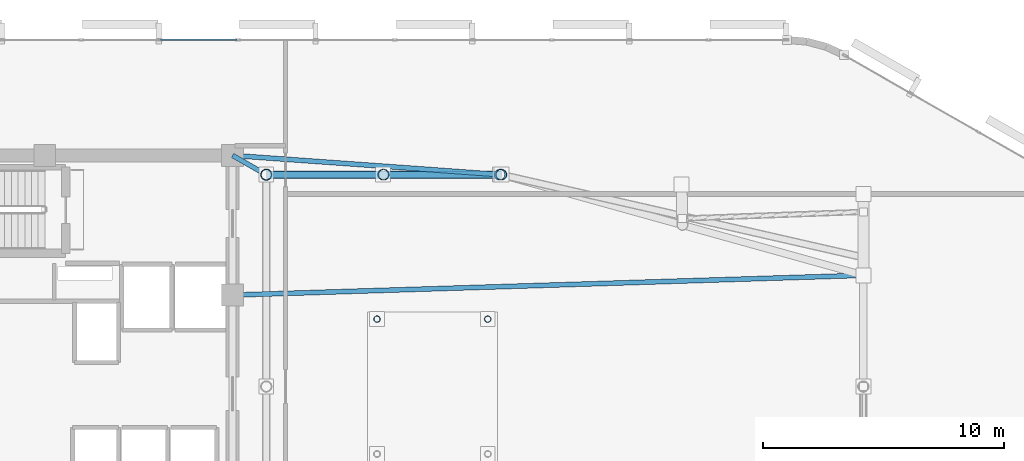
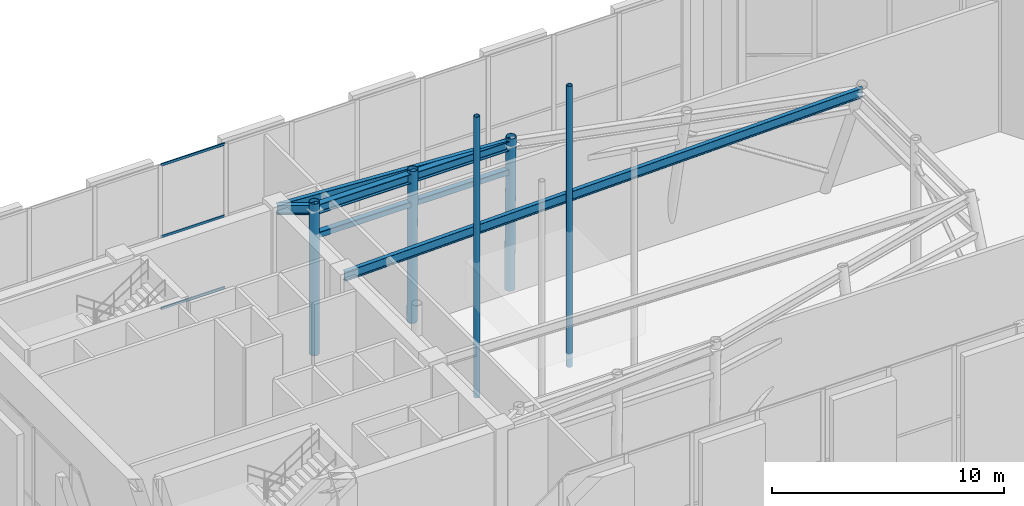
# One storey, part 9 of 22: 9 members, 4 beams, 1 element without a shape of its own.
"""IFC4 building model written with IfcOpenShell, lengths in metres."""

import ifcopenshell
import ifcopenshell.guid

model = None  # the IFC model being written
_history = None  # IfcOwnerHistory: only IFC2X3 demands one
_inside = {}  # id of a spatial element -> (the spatial element, [elements in it])
_under = {}  # id of a project, library or spatial element -> (it, [spatial elements below it])
_declared = {}  # id of a project -> (the project, [libraries it declares])
_typed = {}  # id of a type object -> (the type object, [elements of that type])
_made_of = {}  # id of a material, layer set ... -> (it, [elements and type objects made of it])


def new_model(schema):
    """Start an empty IFC model of exactly this schema.

    Asked for "IFC4X3", IfcOpenShell would pick the latest addendum, in which some entities
    have other attributes; the version numbers below select the first issue.
    IFC2X3 requires an IfcOwnerHistory on every rooted entity: one is made here for all.
    """
    global model, _history
    if schema == "IFC4X3":
        model = ifcopenshell.file(schema_version=(4, 3, 0, 0))
    else:
        model = ifcopenshell.file(schema=schema)
    _inside.clear()
    _under.clear()
    _declared.clear()
    _typed.clear()
    _made_of.clear()
    _history = None
    if model.schema == "IFC2X3":
        org = make("IfcOrganization", Name="unknown")
        user = make(
            "IfcPersonAndOrganization",
            ThePerson=make("IfcPerson", FamilyName="unknown"),
            TheOrganization=org,
        )
        app = make(
            "IfcApplication",
            ApplicationDeveloper=org,
            Version="unknown",
            ApplicationFullName="unknown",
            ApplicationIdentifier="unknown",
        )
        _history = make(
            "IfcOwnerHistory",
            OwningUser=user,
            OwningApplication=app,
            ChangeAction="ADDED",
            CreationDate=0,
        )
    return model


def make(cls, **values):
    """One entity of the class cls with the attributes given. An attribute that is None is left unset."""
    return model.create_entity(
        cls, **{name: value for name, value in values.items() if value is not None}
    )


def rooted(cls, **values):
    """An entity with a GlobalId (a new one), such as an element, a storey or a relation."""
    return make(cls, GlobalId=ifcopenshell.guid.new(), OwnerHistory=_history, **values)


def si_unit(unit_type, name, prefix=None):
    """IfcSIUnit, for example si_unit("LENGTHUNIT", "METRE", prefix="MILLI")."""
    return make("IfcSIUnit", UnitType=unit_type, Prefix=prefix, Name=name)


def assignment(units):
    """IfcUnitAssignment: the units of a project."""
    return None if units is None else make("IfcUnitAssignment", Units=units)


def point(xyz):
    """IfcCartesianPoint."""
    return None if xyz is None else make("IfcCartesianPoint", Coordinates=xyz)


def direction(xyz):
    """IfcDirection."""
    return None if xyz is None else make("IfcDirection", DirectionRatios=xyz)


def frame(location, z_axis=None, x_axis=None):
    """IfcAxis2Placement3D, a coordinate frame: its origin and axes. An axis left out is left unset."""
    return make(
        "IfcAxis2Placement3D",
        Location=point(location),
        Axis=direction(z_axis),
        RefDirection=direction(x_axis),
    )


def frame_2d(location, x_axis=None):
    """IfcAxis2Placement2D, a coordinate frame in the plane: its origin and x axis."""
    return make(
        "IfcAxis2Placement2D", Location=point(location), RefDirection=direction(x_axis)
    )


def origin():
    """The frame at (0, 0, 0) with its axes left unset."""
    return frame((0.0, 0.0, 0.0))


def origin_2d():
    """The frame at (0, 0) in the plane with its x axis left unset."""
    return frame_2d((0.0, 0.0))


def place(relative_to, where):
    """IfcLocalPlacement: puts the frame where relative to a parent placement (None: the world)."""
    return make(
        "IfcLocalPlacement", PlacementRelTo=relative_to, RelativePlacement=where
    )


def context(
    kind, dimensions, precision=None, world=None, true_north=None, identifier=None
):
    """IfcGeometricRepresentationContext, for example the 3D "Model" context."""
    return make(
        "IfcGeometricRepresentationContext",
        ContextIdentifier=identifier,
        ContextType=kind,
        CoordinateSpaceDimension=dimensions,
        Precision=precision,
        WorldCoordinateSystem=world,
        TrueNorth=true_north,
    )


def subcontext(parent, identifier, kind, view, scale=None):
    """IfcGeometricRepresentationSubContext, for example "Body" below "Model"."""
    return make(
        "IfcGeometricRepresentationSubContext",
        ContextIdentifier=identifier,
        ContextType=kind,
        ParentContext=parent,
        TargetScale=scale,
        TargetView=view,
    )


def project(units=None, contexts=None):
    """IfcProject with its units and contexts."""
    return rooted(
        "IfcProject",
        Name="project",
        RepresentationContexts=contexts,
        UnitsInContext=assignment(units),
    )


def spatial(cls, under=None, at=None, **own):
    """A site, building, storey or space (cls), placed at a placement, below another one or the project."""
    s = rooted(cls, ObjectPlacement=at, **own)
    if under is not None:
        _under.setdefault(under.id(), (under, []))[1].append(s)
    return s


def profile(cls, at=None, kind="AREA", **sizes):
    """A parametric profile (cls). Its sizes go by their IFC names, for example OverallWidth=200.0."""
    return make(cls, ProfileType=kind, Position=at, **sizes)


def hollow_rectangle(**sizes):
    """IfcRectangleHollowProfileDef."""
    return profile("IfcRectangleHollowProfileDef", **sizes)


def hollow_circle(**sizes):
    """IfcCircleHollowProfileDef."""
    return profile("IfcCircleHollowProfileDef", **sizes)


def i_section(**sizes):
    """IfcIShapeProfileDef."""
    return profile("IfcIShapeProfileDef", **sizes)


def extrude(swept, where, along, depth):
    """IfcExtrudedAreaSolid: the profile swept, set in the frame where, extruded along a direction by depth."""
    return make(
        "IfcExtrudedAreaSolid",
        SweptArea=swept,
        Position=where,
        ExtrudedDirection=direction(along),
        Depth=depth,
    )


def shape(context_of_items, identifier, shape_type, items):
    """IfcShapeRepresentation: the items that make up one representation, for example the "Body"."""
    return make(
        "IfcShapeRepresentation",
        ContextOfItems=context_of_items,
        RepresentationIdentifier=identifier,
        RepresentationType=shape_type,
        Items=items,
    )


def material(Name=None, Category=None):
    """IfcMaterial."""
    return make("IfcMaterial", Name=Name, Category=Category)


def layer(
    of_material, thickness, ventilated=None, Name=None, Category=None, Priority=None
):
    """IfcMaterialLayer: one layer of a wall or slab, of a material (None: an air gap)."""
    return make(
        "IfcMaterialLayer",
        Material=of_material,
        LayerThickness=thickness,
        IsVentilated=ventilated,
        Name=Name,
        Category=Category,
        Priority=Priority,
    )


def layer_set(layers, Name=None):
    """IfcMaterialLayerSet."""
    return make("IfcMaterialLayerSet", MaterialLayers=layers, LayerSetName=Name)


def material_profile(
    of_material, cross_section, Name=None, Category=None, Priority=None
):
    """IfcMaterialProfile: a cross section and its material."""
    return make(
        "IfcMaterialProfile",
        Name=Name,
        Material=of_material,
        Profile=cross_section,
        Priority=Priority,
        Category=Category,
    )


def profile_set(profiles, Name=None, composite=None):
    """IfcMaterialProfileSet."""
    return make(
        "IfcMaterialProfileSet",
        Name=Name,
        MaterialProfiles=profiles,
        CompositeProfile=composite,
    )


def made_of(thing, what):
    """Note that an element or type object is made of a material, layer set ...; save() writes the relation."""
    if what is not None:
        _made_of.setdefault(what.id(), (what, []))[1].append(thing)
    return thing


def type_object(cls, material=None, **own):
    """A type object (cls), such as IfcWallType, which elements share."""
    return made_of(rooted(cls, **own), material)


def element(
    cls,
    number,
    at=None,
    inside=None,
    cuts=None,
    type_object=None,
    material=None,
    context=None,
    identifier="Body",
    shape_type=None,
    held_by="IfcProductDefinitionShape",
    body=None,
    shapes=None,
    **own,
):
    """One element of the class cls, such as IfcWall. Its Tag is "e" and its number.

    at: its placement. inside: the storey or other place that contains it. cuts: it is an
    opening in that element (IfcRelVoidsElement). A single representation is given by context,
    identifier, shape_type and body (its items); several are given by shapes. held_by: the class
    of the entity that holds the representations. save() writes the other relations.
    """
    e = rooted(cls, Tag="e%d" % number, ObjectPlacement=at, **own)
    if body is not None:
        shapes = [shape(context, identifier, shape_type, body)]
    if shapes is not None:
        e.Representation = make(held_by, Representations=shapes)
    if inside is not None:
        _inside.setdefault(inside.id(), (inside, []))[1].append(e)
    if cuts is not None:
        rooted(
            "IfcRelVoidsElement", RelatingBuildingElement=cuts, RelatedOpeningElement=e
        )
    if type_object is not None:
        _typed.setdefault(type_object.id(), (type_object, []))[1].append(e)
    return made_of(e, material)


def aggregate(whole, parts):
    """IfcRelAggregates: a whole, such as a stair, and the parts it consists of."""
    return rooted("IfcRelAggregates", RelatingObject=whole, RelatedObjects=parts)


def save(model, path):
    """Write the relations noted so far, then the file.

    IfcRelAggregates (storeys below a building ...), IfcRelContainedInSpatialStructure (elements
    in a storey), IfcRelDefinesByType, IfcRelAssociatesMaterial and IfcRelDeclares: one each for
    every whole, place, type object, material and project.
    """
    for whole, parts in _under.values():
        aggregate(whole, parts)
    for where, things in _inside.values():
        rooted(
            "IfcRelContainedInSpatialStructure",
            RelatedElements=things,
            RelatingStructure=where,
        )
    for kind, things in _typed.values():
        rooted("IfcRelDefinesByType", RelatedObjects=things, RelatingType=kind)
    for what, things in _made_of.values():
        rooted("IfcRelAssociatesMaterial", RelatedObjects=things, RelatingMaterial=what)
    for by, libraries in _declared.values():
        rooted("IfcRelDeclares", RelatingContext=by, RelatedDefinitions=libraries)
    model.write(path)


model = new_model("IFC4")

# Units and contexts
model_context = context("Model", 3, precision=1e-05, world=origin(), true_north=direction((0.0, 1.0)))
body_context = subcontext(model_context, "Body", "Model", "MODEL_VIEW")
ifc_project = project(units=[si_unit("LENGTHUNIT", "METRE"), si_unit("AREAUNIT", "SQUARE_METRE"), si_unit("VOLUMEUNIT", "CUBIC_METRE"), si_unit("PLANEANGLEUNIT", "RADIAN"), si_unit("MASSUNIT", "GRAM", prefix="KILO")], contexts=[model_context])

# Site, building, storey
site_placement = place(None, origin())
site = spatial("IfcSite", under=ifc_project, at=site_placement, CompositionType="ELEMENT")
building_placement = place(site_placement, origin())
building = spatial("IfcBuilding", under=site, at=building_placement, Name="An Khanh Terracotta Commons", CompositionType="ELEMENT")
storey_placement = place(building_placement, frame((0.0, 0.0, 300.39990234375)))
storey = spatial("IfcBuildingStorey", under=building, at=storey_placement, Name="L78 Crown Damper Chamber", CompositionType="ELEMENT", Elevation=300.39990234375)

# Beams
ifc_material_1 = material(Name="Steel S355J2", Category="steel")
ifc_material_profile_1 = material_profile(ifc_material_1, i_section(OverallWidth=0.300048828125, OverallDepth=0.5, WebThickness=0.014404296875, FlangeThickness=0.028076171875, FilletRadius=0.027099609375, at=origin_2d()), Name="HEB500")
ifc_profile_set_1 = profile_set([ifc_material_profile_1], Name="Steel S355J2")
beam_type_1 = type_object("IfcBeamType", Name="BM-HEB500", PredefinedType="BEAM", material=ifc_profile_set_1)
beam_1_placement = place(storey_placement, frame((48.3701171875, 32.800048828125, 7.130126953125), z_axis=(-1.0, 0.0, 0.0), x_axis=(0.0, -1.0, 0.0)))
element("IfcBeam", 1, at=beam_1_placement, inside=storey, type_object=beam_type_1, Name="L78 Crown Damper Chamber CROWN FRAME Ring Beam 5", PredefinedType="BEAM", context=body_context, shape_type="SweptSolid", body=[
    extrude(i_section(OverallWidth=0.300048828125, OverallDepth=0.5, WebThickness=0.014404296875, FlangeThickness=0.028076171875, FilletRadius=0.027099609375, at=origin_2d()), origin(), (0.0, 0.0, 1.0), 9.77001953125),
])
ifc_material_profile_2 = material_profile(ifc_material_1, i_section(OverallWidth=0.199951171875, OverallDepth=0.5, WebThickness=0.01025390625, FlangeThickness=0.01611328125, FilletRadius=0.02099609375, at=origin_2d()), Name="IPE500")
ifc_profile_set_2 = profile_set([ifc_material_profile_2], Name="Steel S355J2")
beam_type_2 = type_object("IfcBeamType", Name="BM-IPE500", PredefinedType="BEAM", material=ifc_profile_set_2)
beam_2_placement = place(storey_placement, frame((37.199951171875, 27.800048828125, 7.130126953125), z_axis=(0.999510502833, 0.031285055948, 0.0), x_axis=(-0.031285055948, 0.999510502833, 0.0)))
element("IfcBeam", 2, at=beam_2_placement, inside=storey, type_object=beam_type_2, Name="L78 Crown Damper Chamber Crown Radial Tie Beam 4", PredefinedType="BEAM", context=body_context, shape_type="SweptSolid", body=[
    extrude(i_section(OverallWidth=0.199951171875, OverallDepth=0.5, WebThickness=0.01025390625, FlangeThickness=0.01611328125, FilletRadius=0.02099609375, at=origin_2d()), origin(), (0.0, 0.0, 1.0), 26.212890625),
])
beam_3_placement = place(storey_placement, frame((37.199951171875, 33.60009765625, 7.130126953125), z_axis=(0.997444848135, -0.071440709185, 0.0), x_axis=(0.071440709185, 0.997444848135, 0.0)))
element("IfcBeam", 3, at=beam_3_placement, inside=storey, type_object=beam_type_2, Name="L78 Crown Damper Chamber Crown Radial Tie Beam 5", PredefinedType="BEAM", context=body_context, shape_type="SweptSolid", body=[
    extrude(i_section(OverallWidth=0.199951171875, OverallDepth=0.5, WebThickness=0.01025390625, FlangeThickness=0.01611328125, FilletRadius=0.02099609375, at=origin_2d()), origin(), (0.0, 0.0, 1.0), 11.19873046875),
])
beam_4_placement = place(storey_placement, frame((37.199951171875, 33.60009765625, 7.130126953125), z_axis=(0.86825245861, -0.496122634152, 0.0), x_axis=(0.496122634152, 0.86825245861, 0.0)))
element("IfcBeam", 4, at=beam_4_placement, inside=storey, type_object=beam_type_2, Name="L78 Crown Damper Chamber Crown Radial Tie Beam 6", PredefinedType="BEAM", context=body_context, shape_type="SweptSolid", body=[
    extrude(i_section(OverallWidth=0.199951171875, OverallDepth=0.5, WebThickness=0.01025390625, FlangeThickness=0.01611328125, FilletRadius=0.02099609375, at=origin_2d()), origin(), (0.0, 0.0, 1.0), 1.612548828125),
])

# Members
ifc_material_2 = material(Name="Steel S460ML", Category="steel")
ifc_material_profile_3 = material_profile(ifc_material_2, hollow_circle(Radius=0.228515625, WallThickness=0.02001953125, at=origin_2d()), Name="CHS457x20")
ifc_profile_set_3 = profile_set([ifc_material_profile_3], Name="Steel S460ML")
member_type_1 = type_object("IfcMemberType", Name="CROWN FRAME RIB CHS457", PredefinedType="STRUT", material=ifc_profile_set_3)
member_1_placement = place(storey_placement, frame((48.298095703125, 32.800048828125, -0.449951171875), z_axis=(0.009036236969, 0.0, 0.999959172377), x_axis=(0.0, 1.0, 0.0)))
element("IfcMember", 5, at=member_1_placement, inside=storey, type_object=member_type_1, Name="L78 Crown Damper Chamber CROWN FRAME Corner Raking Rib 5", PredefinedType="STRUT", context=body_context, shape_type="SweptSolid", body=[
    extrude(hollow_circle(Radius=0.228515625, WallThickness=0.02001953125, at=origin_2d()), origin(), (0.0, 0.0, 1.0), 7.97021484375),
])
for number, where, z_axis, x_axis, name in (
    (6, (43.448974609375, 32.800048828125, -0.449951171875), (0.004533572647, 0.0, 0.999989723307), (0.0, 1.0, 0.0), "L78 Crown Damper Chamber CROWN FRAME Facet Strut 5"),
    (7, (38.60009765625, 32.800048828125, -0.449951171875), (0.0, 0.0, 1.0), (1.0, 0.0, 0.0), "L78 Crown Damper Chamber CROWN FRAME Corner Raking Rib 6"),
):
    element("IfcMember", number, at=place(storey_placement, frame(where, z_axis=z_axis, x_axis=x_axis)), inside=storey, type_object=member_type_1, Name=name, PredefinedType="STRUT", context=body_context, shape_type="SweptSolid", body=[
        extrude(hollow_circle(Radius=0.228515625, WallThickness=0.02001953125, at=origin_2d()), origin(), (0.0, 0.0, 1.0), 7.969970703125),
    ])
ifc_material_profile_4 = material_profile(ifc_material_2, hollow_rectangle(XDim=0.300048828125, YDim=0.300048828125, WallThickness=0.01611328125, InnerFilletRadius=0.01611328125, OuterFilletRadius=0.031982421875, at=origin_2d()), Name="SHS300x300x16")
ifc_profile_set_4 = profile_set([ifc_material_profile_4], Name="Steel S460ML")
member_type_2 = type_object("IfcMemberType", Name="CROWN FRAME RING SHS300", PredefinedType="CHORD", material=ifc_profile_set_4)
member_2_placement = place(storey_placement, frame((48.35400390625, 32.800048828125, 5.76708984375), z_axis=(-1.0, 0.0, 0.0), x_axis=(0.0, -1.0, 0.0)))
element("IfcMember", 8, at=member_2_placement, inside=storey, type_object=member_type_2, Name="L78 Crown Damper Chamber CROWN FRAME Sill Ring Chord 5", PredefinedType="CHORD", context=body_context, shape_type="SweptSolid", body=[
    extrude(hollow_rectangle(XDim=0.300048828125, YDim=0.300048828125, WallThickness=0.01611328125, InnerFilletRadius=0.01611328125, OuterFilletRadius=0.031982421875, at=origin_2d()), origin(), (0.0, 0.0, 1.0), 9.75390625),
])

# Curtain wall, members
ifc_material_3 = material(Name="Anodised Aluminium 6063-T6", Category="aluminium")
ifc_layer = layer(ifc_material_3, 0.25, Name="Anodised Aluminium 6063-T6")
ifc_layer_set = layer_set([ifc_layer], Name="Anodised Aluminium 6063-T6")
curtain_wall_type = type_object("IfcCurtainWallType", Name="CW-SYS-05", PredefinedType="USERDEFINED", material=ifc_layer_set)
curtain_wall_placement = place(storey_placement, origin())
curtain_wall = element("IfcCurtainWall", 9, at=curtain_wall_placement, inside=storey, type_object=curtain_wall_type, Name="L78 Crown Damper Chamber CW-05 Unitised Curtain Wall CW-L78-20", ObjectType="UNITISED CURTAIN WALL", PredefinedType="USERDEFINED")
ifc_material_profile_5 = material_profile(ifc_material_3, hollow_rectangle(XDim=0.06005859375, YDim=0.135009765625, WallThickness=0.003662109375, InnerFilletRadius=0.003662109375, OuterFilletRadius=0.007080078125, at=origin_2d()), Name="RHS135x60x3.6")
ifc_profile_set_5 = profile_set([ifc_material_profile_5], Name="Anodised Aluminium 6063-T6")
member_type_3 = type_object("IfcMemberType", Name="CWT-RHS135x60x3.6", PredefinedType="USERDEFINED", material=ifc_profile_set_5)
member_3_placement = place(storey_placement, frame((37.38720703125, 38.39990234375, 0.030029296875), z_axis=(-1.0, 0.0, 0.0), x_axis=(0.0, -1.0, 0.0)))
member_3 = element("IfcMember", 10, at=member_3_placement, type_object=member_type_3, Name="CW-05 transom 8.1", ObjectType="TRANSOM", PredefinedType="USERDEFINED", context=body_context, shape_type="SweptSolid", body=[
    extrude(hollow_rectangle(XDim=0.06005859375, YDim=0.135009765625, WallThickness=0.003662109375, InnerFilletRadius=0.003662109375, OuterFilletRadius=0.007080078125, at=origin_2d()), origin(), (0.0, 0.0, 1.0), 3.1767578125),
])
member_4_placement = place(storey_placement, frame((37.38720703125, 38.39990234375, 3.800048828125), z_axis=(-1.0, 0.0, 0.0), x_axis=(0.0, -1.0, 0.0)))
member_4 = element("IfcMember", 11, at=member_4_placement, type_object=member_type_3, Name="CW-05 transom 8.2", ObjectType="TRANSOM", PredefinedType="USERDEFINED", context=body_context, shape_type="SweptSolid", body=[
    extrude(hollow_rectangle(XDim=0.06005859375, YDim=0.135009765625, WallThickness=0.003662109375, InnerFilletRadius=0.003662109375, OuterFilletRadius=0.007080078125, at=origin_2d()), origin(), (0.0, 0.0, 1.0), 3.1767578125),
])
member_5_placement = place(storey_placement, frame((37.38720703125, 38.39990234375, 7.570068359375), z_axis=(-1.0, 0.0, 0.0), x_axis=(0.0, -1.0, 0.0)))
member_5 = element("IfcMember", 12, at=member_5_placement, type_object=member_type_3, Name="CW-05 transom 8.3", ObjectType="TRANSOM", PredefinedType="USERDEFINED", context=body_context, shape_type="SweptSolid", body=[
    extrude(hollow_rectangle(XDim=0.06005859375, YDim=0.135009765625, WallThickness=0.003662109375, InnerFilletRadius=0.003662109375, OuterFilletRadius=0.007080078125, at=origin_2d()), origin(), (0.0, 0.0, 1.0), 3.1767578125),
])
aggregate(curtain_wall, [member_3, member_4, member_5])

# Members
ifc_material_profile_6 = material_profile(ifc_material_2, hollow_circle(Radius=0.136474609375, WallThickness=0.012451171875, at=origin_2d()), Name="CHS273x12.5")
ifc_profile_set_6 = profile_set([ifc_material_profile_6], Name="Steel S460ML")
member_type_4 = type_object("IfcMemberType", Name="TMD-HANGER-CHS273", PredefinedType="STRUT", material=ifc_profile_set_6)
for number, where, z_axis, x_axis, name in (
    (13, (47.800048828125, 26.800048828125, -0.699951171875), (0.0, 0.0, 1.0), (1.0, 0.0, 0.0), "Pendulum Tuned Mass Damper Hanger Strut 3"),
    (14, (43.199951171875, 26.800048828125, -0.699951171875), (0.0, 0.0, 1.0), (1.0, 0.0, 0.0), "Pendulum Tuned Mass Damper Hanger Strut 4"),
):
    element("IfcMember", number, at=place(storey_placement, frame(where, z_axis=z_axis, x_axis=x_axis)), inside=storey, type_object=member_type_4, Name=name, PredefinedType="STRUT", context=body_context, shape_type="SweptSolid", body=[
        extrude(hollow_circle(Radius=0.136474609375, WallThickness=0.012451171875, at=origin_2d()), origin(), (0.0, 0.0, 1.0), 14.75),
    ])

save(model, "model.ifc")
